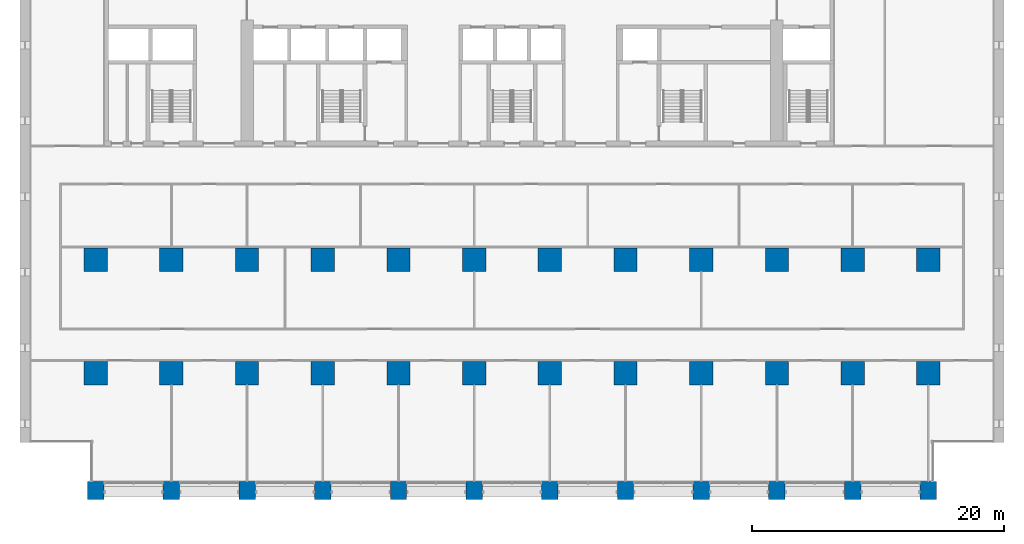
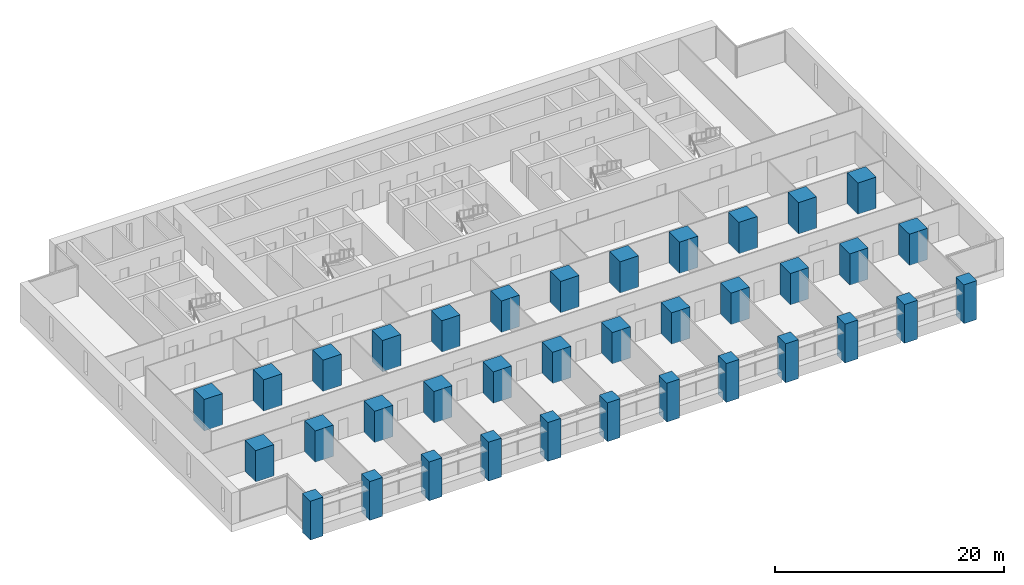
# One storey, part 1 of 18: 36 columns.
"""IFC4 building model written with IfcOpenShell, lengths in metres."""

from ifc_helpers import new_model, si_unit, direction, frame, origin, origin_2d, place, context, subcontext, project, spatial, rectangle, extrude, material, material_profile, profile_set, type_object, element, save


model = new_model("IFC4")

# Units and contexts
model_context = context("Model", 3, precision=1e-05, world=origin(), true_north=direction((0.0, 1.0)))
body_context = subcontext(model_context, "Body", "Model", "MODEL_VIEW")
ifc_project = project(units=[si_unit("LENGTHUNIT", "METRE"), si_unit("AREAUNIT", "SQUARE_METRE"), si_unit("VOLUMEUNIT", "CUBIC_METRE"), si_unit("PLANEANGLEUNIT", "RADIAN"), si_unit("MASSUNIT", "GRAM", prefix="KILO")], contexts=[model_context])

# Site, building, storey
site_placement = place(None, origin())
site = spatial("IfcSite", under=ifc_project, at=site_placement, CompositionType="ELEMENT")
building_placement = place(site_placement, origin())
building = spatial("IfcBuilding", under=site, at=building_placement, Name="Calvaro Tower", CompositionType="ELEMENT")
storey_placement = place(building_placement, frame((0.0, 0.0, 22.5)))
storey = spatial("IfcBuildingStorey", under=building, at=storey_placement, Name="L04", CompositionType="ELEMENT", Elevation=22.5)

# Columns
ifc_material_1 = material(Name="Concrete C80/95", Category="concrete")
ifc_material_profile_1 = material_profile(ifc_material_1, rectangle(XDim=1.85009765625, YDim=1.85009765625, at=origin_2d()), Name="RC 1850x1850")
ifc_profile_set_1 = profile_set([ifc_material_profile_1], Name="Concrete C80/95")
column_type_1 = type_object("IfcColumnType", Name="Column 1850x1850 C80/95", PredefinedType="COLUMN", material=ifc_profile_set_1)
for number, where, z_axis, x_axis, name in (
    (1, (6.0, 10.0, 0.0), (0.0, 0.0, 1.0), (1.0, 0.0, 0.0), "Column 2B"),
    (2, (6.0, 19.0, 0.0), (0.0, 0.0, 1.0), (1.0, 0.0, 0.0), "Column 2C"),
    (3, (12.0, 10.0, 0.0), (0.0, 0.0, 1.0), (1.0, 0.0, 0.0), "Column 3B"),
    (4, (12.0, 19.0, 0.0), (0.0, 0.0, 1.0), (1.0, 0.0, 0.0), "Column 3C"),
    (5, (18.0, 10.0, 0.0), (0.0, 0.0, 1.0), (1.0, 0.0, 0.0), "Column 4B"),
    (6, (18.0, 19.0, 0.0), (0.0, 0.0, 1.0), (1.0, 0.0, 0.0), "Column 4C"),
    (7, (24.0, 10.0, 0.0), (0.0, 0.0, 1.0), (1.0, 0.0, 0.0), "Column 5B"),
    (8, (24.0, 19.0, 0.0), (0.0, 0.0, 1.0), (1.0, 0.0, 0.0), "Column 5C"),
    (9, (30.0, 10.0, 0.0), (0.0, 0.0, 1.0), (1.0, 0.0, 0.0), "Column 6B"),
    (10, (30.0, 19.0, 0.0), (0.0, 0.0, 1.0), (1.0, 0.0, 0.0), "Column 6C"),
    (11, (36.0, 10.0, 0.0), (0.0, 0.0, 1.0), (1.0, 0.0, 0.0), "Column 7B"),
    (12, (36.0, 19.0, 0.0), (0.0, 0.0, 1.0), (1.0, 0.0, 0.0), "Column 7C"),
    (13, (42.0, 10.0, 0.0), (0.0, 0.0, 1.0), (1.0, 0.0, 0.0), "Column 8B"),
    (14, (42.0, 19.0, 0.0), (0.0, 0.0, 1.0), (1.0, 0.0, 0.0), "Column 8C"),
    (15, (48.0, 10.0, 0.0), (0.0, 0.0, 1.0), (1.0, 0.0, 0.0), "Column 9B"),
    (16, (48.0, 19.0, 0.0), (0.0, 0.0, 1.0), (1.0, 0.0, 0.0), "Column 9C"),
    (17, (54.0, 10.0, 0.0), (0.0, 0.0, 1.0), (1.0, 0.0, 0.0), "Column 10B"),
    (18, (54.0, 19.0, 0.0), (0.0, 0.0, 1.0), (1.0, 0.0, 0.0), "Column 10C"),
    (19, (60.0, 10.0, 0.0), (0.0, 0.0, 1.0), (1.0, 0.0, 0.0), "Column 11B"),
    (20, (60.0, 19.0, 0.0), (0.0, 0.0, 1.0), (1.0, 0.0, 0.0), "Column 11C"),
    (21, (66.0, 10.0, 0.0), (0.0, 0.0, 1.0), (1.0, 0.0, 0.0), "Column 12B"),
    (22, (66.0, 19.0, 0.0), (0.0, 0.0, 1.0), (1.0, 0.0, 0.0), "Column 12C"),
    (23, (72.0, 10.0, 0.0), (0.0, 0.0, 1.0), (1.0, 0.0, 0.0), "Column 13B"),
    (24, (72.0, 19.0, 0.0), (0.0, 0.0, 1.0), (1.0, 0.0, 0.0), "Column 13C"),
):
    element("IfcColumn", number, at=place(storey_placement, frame(where, z_axis=z_axis, x_axis=x_axis)), inside=storey, type_object=column_type_1, Name=name, PredefinedType="COLUMN", context=body_context, shape_type="SweptSolid", body=[
        extrude(rectangle(XDim=1.85009765625, YDim=1.85009765625, at=origin_2d()), origin(), (0.0, 0.0, 1.0), 3.35009765625),
    ])
ifc_material_2 = material(Name="Concrete C80/95", Category="concrete")
ifc_material_profile_2 = material_profile(ifc_material_2, rectangle(XDim=1.300048828125, YDim=1.39990234375, at=origin_2d()), Name="RC 1300x1400")
ifc_profile_set_2 = profile_set([ifc_material_profile_2], Name="Concrete C80/95")
column_type_2 = type_object("IfcColumnType", Name="Pier 1300x1400 C80/95", PredefinedType="COLUMN", material=ifc_profile_set_2)
for number, where, z_axis, x_axis, name in (
    (25, (6.0, 0.699951171875, -0.800048828125), (0.0, 0.0, 1.0), (1.0, 0.0, 0.0), "South pier 2"),
    (26, (12.0, 0.699951171875, -0.800048828125), (0.0, 0.0, 1.0), (1.0, 0.0, 0.0), "South pier 3"),
    (27, (18.0, 0.699951171875, -0.800048828125), (0.0, 0.0, 1.0), (1.0, 0.0, 0.0), "South pier 4"),
    (28, (24.0, 0.699951171875, -0.800048828125), (0.0, 0.0, 1.0), (1.0, 0.0, 0.0), "South pier 5"),
    (29, (30.0, 0.699951171875, -0.800048828125), (0.0, 0.0, 1.0), (1.0, 0.0, 0.0), "South pier 6"),
    (30, (36.0, 0.699951171875, -0.800048828125), (0.0, 0.0, 1.0), (1.0, 0.0, 0.0), "South pier 7"),
    (31, (42.0, 0.699951171875, -0.800048828125), (0.0, 0.0, 1.0), (1.0, 0.0, 0.0), "South pier 8"),
    (32, (48.0, 0.699951171875, -0.800048828125), (0.0, 0.0, 1.0), (1.0, 0.0, 0.0), "South pier 9"),
    (33, (54.0, 0.699951171875, -0.800048828125), (0.0, 0.0, 1.0), (1.0, 0.0, 0.0), "South pier 10"),
    (34, (60.0, 0.699951171875, -0.800048828125), (0.0, 0.0, 1.0), (1.0, 0.0, 0.0), "South pier 11"),
    (35, (66.0, 0.699951171875, -0.800048828125), (0.0, 0.0, 1.0), (1.0, 0.0, 0.0), "South pier 12"),
    (36, (72.0, 0.699951171875, -0.800048828125), (0.0, 0.0, 1.0), (1.0, 0.0, 0.0), "South pier 13"),
):
    element("IfcColumn", number, at=place(storey_placement, frame(where, z_axis=z_axis, x_axis=x_axis)), inside=storey, type_object=column_type_2, Name=name, PredefinedType="COLUMN", context=body_context, shape_type="SweptSolid", body=[
        extrude(rectangle(XDim=1.300048828125, YDim=1.39990234375, at=origin_2d()), origin(), (0.0, 0.0, 1.0), 4.150146484375),
    ])

save(model, "model.ifc")
